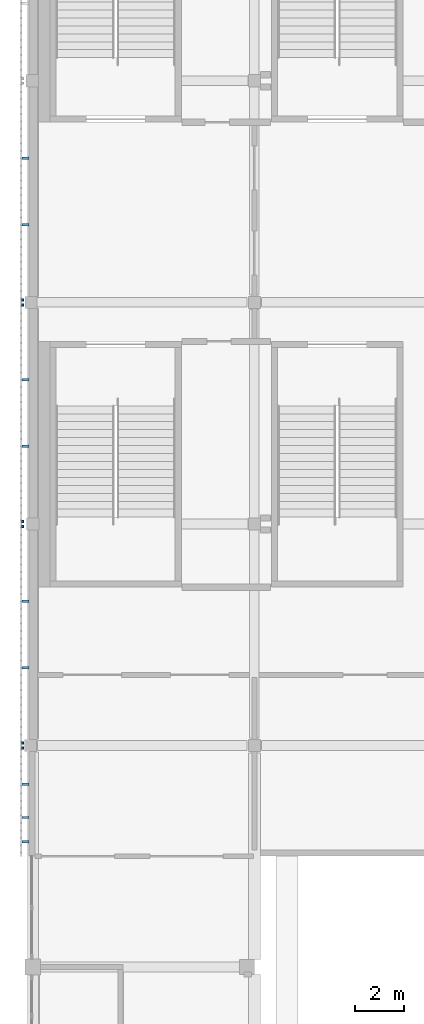
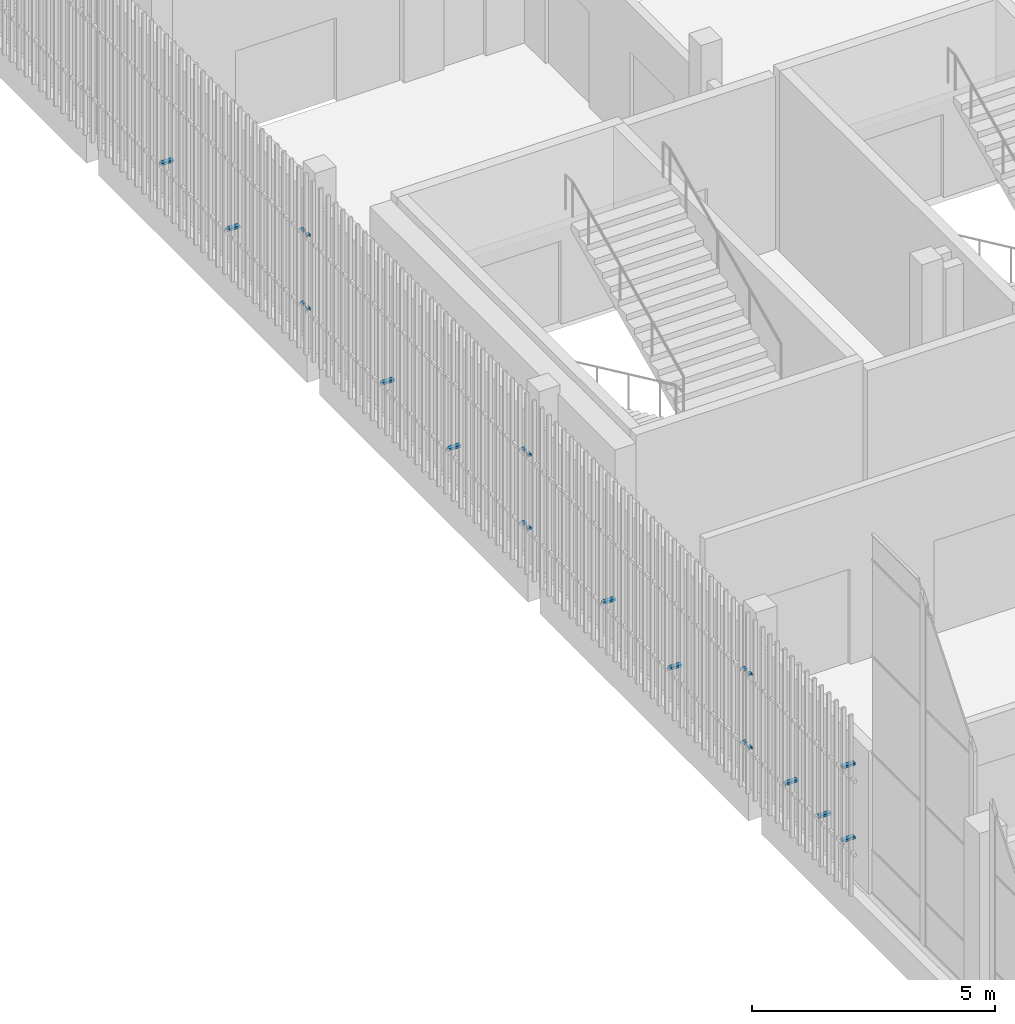
# One storey, part 66 of 91: 22 discrete accessories.
"""IFC4 building model written with IfcOpenShell, lengths in metres."""

from ifc_helpers import new_model, si_unit, direction, frame, origin, origin_2d, place, context, subcontext, project, spatial, rectangle, extrude, material, type_object, element, save


model = new_model("IFC4")

# Units and contexts
model_context = context("Model", 3, precision=1e-05, world=origin(), true_north=direction((0.0, 1.0)))
body_context = subcontext(model_context, "Body", "Model", "MODEL_VIEW")
ifc_project = project(units=[si_unit("LENGTHUNIT", "METRE"), si_unit("AREAUNIT", "SQUARE_METRE"), si_unit("VOLUMEUNIT", "CUBIC_METRE"), si_unit("PLANEANGLEUNIT", "RADIAN"), si_unit("MASSUNIT", "GRAM", prefix="KILO")], contexts=[model_context])

# Site, building, storey
site_placement = place(None, origin())
site = spatial("IfcSite", under=ifc_project, at=site_placement, CompositionType="ELEMENT")
building_placement = place(site_placement, origin())
building = spatial("IfcBuilding", under=site, at=building_placement, Name="Shirokan Park Arena", CompositionType="ELEMENT")
storey_placement = place(building_placement, frame((0.0, 0.0, 24.570068359375)))
storey = spatial("IfcBuildingStorey", under=building, at=storey_placement, Name="L05", CompositionType="ELEMENT", Elevation=24.570068359375)

# Discrete accessories
ifc_material = material(Name="Steel S355", Category="steel")
discrete_accessory_type = type_object("IfcDiscreteAccessoryType", Name="Veil bracket 100x60", PredefinedType="BRACKET", material=ifc_material)
for number, where, z_axis, x_axis, name in (
    (1, (-0.409912109375, 91.10009765625, 1.06982421875), (0.0, 0.0, 1.0), (0.0, -1.0, 0.0), "Veil bracket west bay 2 L05 2"),
    (2, (-0.409912109375, 91.10009765625, 2.919921875), (0.0, 0.0, 1.0), (0.0, -1.0, 0.0), "Veil bracket west bay 2 L05 4"),
):
    element("IfcDiscreteAccessory", number, at=place(storey_placement, frame(where, z_axis=z_axis, x_axis=x_axis)), inside=storey, type_object=discrete_accessory_type, Name=name, PredefinedType="BRACKET", context=body_context, shape_type="SweptSolid", body=[
        extrude(rectangle(XDim=0.10009765625, YDim=0.070068359375, at=origin_2d()), origin(), (0.0, 0.0, 1.0), 0.06005859375),
    ])
for number, where, z_axis, x_axis, name in (
    (3, (-0.297607421875, 96.9150390625, 1.06982421875), (0.0, 0.0, 1.0), (0.0, -1.0, 0.0), "Veil bracket west bay 2 L05 wall 1"),
    (4, (-0.297607421875, 94.18505859375, 1.06982421875), (0.0, 0.0, 1.0), (0.0, -1.0, 0.0), "Veil bracket west bay 2 L05 wall 2"),
):
    element("IfcDiscreteAccessory", number, at=place(storey_placement, frame(where, z_axis=z_axis, x_axis=x_axis)), inside=storey, type_object=discrete_accessory_type, Name=name, PredefinedType="BRACKET", context=body_context, shape_type="SweptSolid", body=[
        extrude(rectangle(XDim=0.10009765625, YDim=0.294921875, at=origin_2d()), origin(), (0.0, 0.0, 1.0), 0.06005859375),
    ])
for number, where, z_axis, x_axis, name in (
    (5, (-0.409912109375, 90.89990234375, 1.06982421875), (0.0, 0.0, 1.0), (0.0, -1.0, 0.0), "Veil bracket west bay 3 L05 1"),
    (6, (-0.409912109375, 82.0, 1.06982421875), (0.0, 0.0, 1.0), (0.0, -1.0, 0.0), "Veil bracket west bay 3 L05 2"),
    (7, (-0.409912109375, 90.89990234375, 2.919921875), (0.0, 0.0, 1.0), (0.0, -1.0, 0.0), "Veil bracket west bay 3 L05 3"),
    (8, (-0.409912109375, 82.0, 2.919921875), (0.0, 0.0, 1.0), (0.0, -1.0, 0.0), "Veil bracket west bay 3 L05 4"),
):
    element("IfcDiscreteAccessory", number, at=place(storey_placement, frame(where, z_axis=z_axis, x_axis=x_axis)), inside=storey, type_object=discrete_accessory_type, Name=name, PredefinedType="BRACKET", context=body_context, shape_type="SweptSolid", body=[
        extrude(rectangle(XDim=0.10009765625, YDim=0.070068359375, at=origin_2d()), origin(), (0.0, 0.0, 1.0), 0.06005859375),
    ])
for number, where, z_axis, x_axis, name in (
    (9, (-0.297607421875, 87.81494140625, 1.06982421875), (0.0, 0.0, 1.0), (0.0, -1.0, 0.0), "Veil bracket west bay 3 L05 wall 1"),
    (10, (-0.297607421875, 85.0849609375, 1.06982421875), (0.0, 0.0, 1.0), (0.0, -1.0, 0.0), "Veil bracket west bay 3 L05 wall 2"),
):
    element("IfcDiscreteAccessory", number, at=place(storey_placement, frame(where, z_axis=z_axis, x_axis=x_axis)), inside=storey, type_object=discrete_accessory_type, Name=name, PredefinedType="BRACKET", context=body_context, shape_type="SweptSolid", body=[
        extrude(rectangle(XDim=0.10009765625, YDim=0.294921875, at=origin_2d()), origin(), (0.0, 0.0, 1.0), 0.06005859375),
    ])
for number, where, z_axis, x_axis, name in (
    (11, (-0.409912109375, 81.800048828125, 1.06982421875), (0.0, 0.0, 1.0), (0.0, -1.0, 0.0), "Veil bracket west bay 4 L05 1"),
    (12, (-0.409912109375, 72.89990234375, 1.06982421875), (0.0, 0.0, 1.0), (0.0, -1.0, 0.0), "Veil bracket west bay 4 L05 2"),
    (13, (-0.409912109375, 81.800048828125, 2.919921875), (0.0, 0.0, 1.0), (0.0, -1.0, 0.0), "Veil bracket west bay 4 L05 3"),
    (14, (-0.409912109375, 72.89990234375, 2.919921875), (0.0, 0.0, 1.0), (0.0, -1.0, 0.0), "Veil bracket west bay 4 L05 4"),
):
    element("IfcDiscreteAccessory", number, at=place(storey_placement, frame(where, z_axis=z_axis, x_axis=x_axis)), inside=storey, type_object=discrete_accessory_type, Name=name, PredefinedType="BRACKET", context=body_context, shape_type="SweptSolid", body=[
        extrude(rectangle(XDim=0.10009765625, YDim=0.070068359375, at=origin_2d()), origin(), (0.0, 0.0, 1.0), 0.06005859375),
    ])
for number, where, z_axis, x_axis, name in (
    (15, (-0.297607421875, 78.715087890625, 1.06982421875), (0.0, 0.0, 1.0), (0.0, -1.0, 0.0), "Veil bracket west bay 4 L05 wall 1"),
    (16, (-0.297607421875, 75.985107421875, 1.06982421875), (0.0, 0.0, 1.0), (0.0, -1.0, 0.0), "Veil bracket west bay 4 L05 wall 2"),
):
    element("IfcDiscreteAccessory", number, at=place(storey_placement, frame(where, z_axis=z_axis, x_axis=x_axis)), inside=storey, type_object=discrete_accessory_type, Name=name, PredefinedType="BRACKET", context=body_context, shape_type="SweptSolid", body=[
        extrude(rectangle(XDim=0.10009765625, YDim=0.294921875, at=origin_2d()), origin(), (0.0, 0.0, 1.0), 0.06005859375),
    ])
discrete_accessory_1_placement = place(storey_placement, frame((-0.409912109375, 72.699951171875, 1.06982421875), z_axis=(0.0, 0.0, 1.0), x_axis=(0.0, -1.0, 0.0)))
element("IfcDiscreteAccessory", 17, at=discrete_accessory_1_placement, inside=storey, type_object=discrete_accessory_type, Name="Veil bracket west bay 5 L05 1", PredefinedType="BRACKET", context=body_context, shape_type="SweptSolid", body=[
    extrude(rectangle(XDim=0.10009765625, YDim=0.070068359375, at=origin_2d()), origin(), (0.0, 0.0, 1.0), 0.06005859375),
])
discrete_accessory_2_placement = place(storey_placement, frame((-0.297607421875, 68.85009765625, 1.06982421875), z_axis=(0.0, 0.0, 1.0), x_axis=(0.0, -1.0, 0.0)))
element("IfcDiscreteAccessory", 18, at=discrete_accessory_2_placement, inside=storey, type_object=discrete_accessory_type, Name="Veil bracket west bay 5 L05 2", PredefinedType="BRACKET", context=body_context, shape_type="SweptSolid", body=[
    extrude(rectangle(XDim=0.10009765625, YDim=0.294921875, at=origin_2d()), origin(), (0.0, 0.0, 1.0), 0.06005859375),
])
discrete_accessory_3_placement = place(storey_placement, frame((-0.409912109375, 72.699951171875, 2.919921875), z_axis=(0.0, 0.0, 1.0), x_axis=(0.0, -1.0, 0.0)))
element("IfcDiscreteAccessory", 19, at=discrete_accessory_3_placement, inside=storey, type_object=discrete_accessory_type, Name="Veil bracket west bay 5 L05 3", PredefinedType="BRACKET", context=body_context, shape_type="SweptSolid", body=[
    extrude(rectangle(XDim=0.10009765625, YDim=0.070068359375, at=origin_2d()), origin(), (0.0, 0.0, 1.0), 0.06005859375),
])
for number, where, z_axis, x_axis, name in (
    (20, (-0.297607421875, 68.85009765625, 2.919921875), (0.0, 0.0, 1.0), (0.0, -1.0, 0.0), "Veil bracket west bay 5 L05 4"),
    (21, (-0.297607421875, 71.20751953125, 1.06982421875), (0.0, 0.0, 1.0), (0.0, -1.0, 0.0), "Veil bracket west bay 5 L05 wall 1"),
    (22, (-0.297607421875, 69.842529296875, 1.06982421875), (0.0, 0.0, 1.0), (0.0, -1.0, 0.0), "Veil bracket west bay 5 L05 wall 2"),
):
    element("IfcDiscreteAccessory", number, at=place(storey_placement, frame(where, z_axis=z_axis, x_axis=x_axis)), inside=storey, type_object=discrete_accessory_type, Name=name, PredefinedType="BRACKET", context=body_context, shape_type="SweptSolid", body=[
        extrude(rectangle(XDim=0.10009765625, YDim=0.294921875, at=origin_2d()), origin(), (0.0, 0.0, 1.0), 0.06005859375),
    ])

save(model, "model.ifc")
